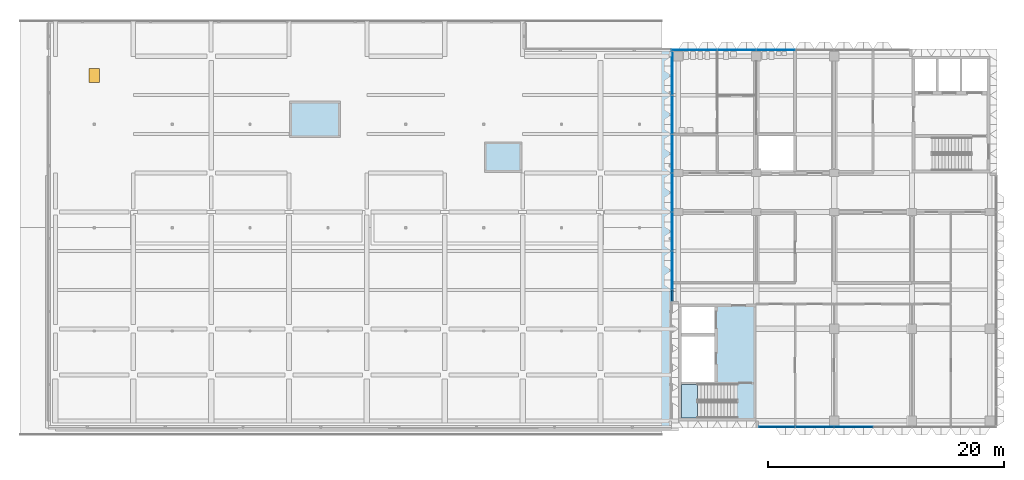
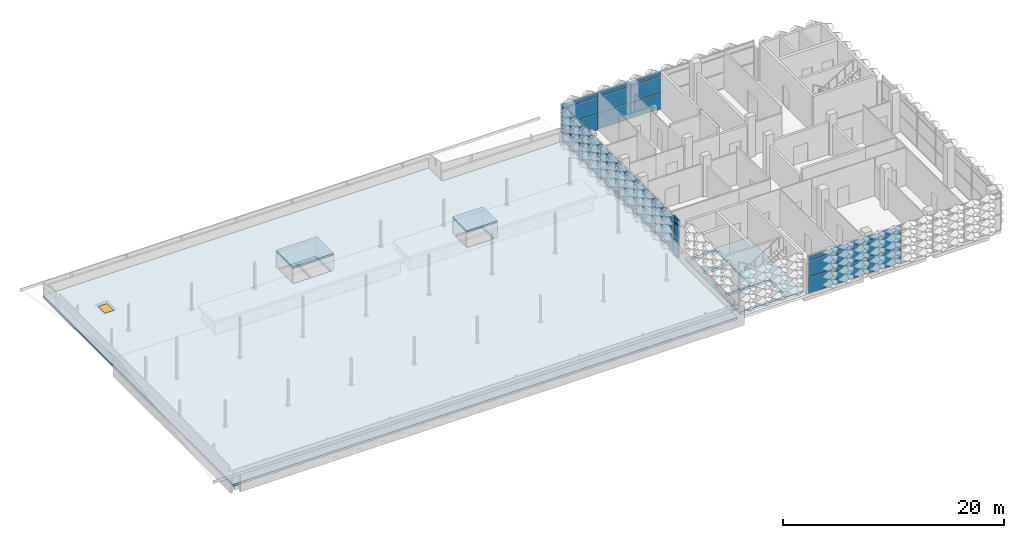
# One storey, part 9 of 39: 39 plates, 5 slabs, 4 members, 1 window, 1 opening, 4 elements without a shape of their own.
"""IFC4 building model written with IfcOpenShell, lengths in metres."""

from ifc_helpers import new_model, si_unit, direction, frame, origin, origin_2d, place, context, subcontext, project, spatial, polyline, rectangle, outline, extrude, material, layer, layer_set, material_profile, profile_set, type_object, element, fill, aggregate, save


model = new_model("IFC4")

# Units and contexts
model_context = context("Model", 3, precision=1e-05, world=origin(), true_north=direction((0.0, 1.0)))
body_context = subcontext(model_context, "Body", "Model", "MODEL_VIEW")
ifc_project = project(units=[si_unit("LENGTHUNIT", "METRE"), si_unit("AREAUNIT", "SQUARE_METRE"), si_unit("VOLUMEUNIT", "CUBIC_METRE"), si_unit("PLANEANGLEUNIT", "RADIAN"), si_unit("MASSUNIT", "GRAM", prefix="KILO")], contexts=[model_context])

# Site, building, storey
site_placement = place(None, origin())
site = spatial("IfcSite", under=ifc_project, at=site_placement, CompositionType="ELEMENT")
building_placement = place(site_placement, origin())
building = spatial("IfcBuilding", under=site, at=building_placement, Name="Lantern Court Research Institute", CompositionType="ELEMENT")
storey_placement = place(building_placement, frame((0.0, 0.0, 27.89990234375)))
storey = spatial("IfcBuildingStorey", under=building, at=storey_placement, Name="L06", CompositionType="ELEMENT", Elevation=27.89990234375)

# Curtain wall, members
ifc_material_1 = material(Name="Aluminium alloy 6063-T6", Category="aluminium")
curtain_wall_type_1 = type_object("IfcCurtainWallType", Name="Curtain wall 21250 x 4200 x 150 aluminium frame", PredefinedType="NOTDEFINED", material=ifc_material_1)
curtain_wall_1_placement = place(storey_placement, origin())
curtain_wall_1 = element("IfcCurtainWall", 1, at=curtain_wall_1_placement, inside=storey, type_object=curtain_wall_type_1, Name="Curtain wall CW080", PredefinedType="NOTDEFINED")
ifc_material_2 = material(Name="Aluminium alloy 6063-T6", Category="aluminium")
ifc_material_profile = material_profile(ifc_material_2, rectangle(XDim=0.14990234375, YDim=0.06005859375, at=origin_2d()), Name="Transom 150 x 60")
ifc_profile_set = profile_set([ifc_material_profile], Name="Aluminium alloy 6063-T6")
member_type = type_object("IfcMemberType", Name="Transom 150 x 60 aluminium", PredefinedType="USERDEFINED", material=ifc_profile_set)
member_1_placement = place(storey_placement, frame((52.27490234375, 2.360107421875, 0.030029296875), z_axis=(0.0, 1.0, 0.0), x_axis=(-1.0, 0.0, 0.0)))
member_1 = element("IfcMember", 2, at=member_1_placement, type_object=member_type, Name="CW080 transom 1.1", ObjectType="TRANSOM", PredefinedType="USERDEFINED", context=body_context, shape_type="SweptSolid", body=[
    extrude(rectangle(XDim=0.14990234375, YDim=0.06005859375, at=origin_2d()), origin(), (0.0, 0.0, 1.0), 0.909912109375),
])
member_2_placement = place(storey_placement, frame((52.27490234375, 2.360107421875, 1.800048828125), z_axis=(0.0, 1.0, 0.0), x_axis=(-1.0, 0.0, 0.0)))
member_2 = element("IfcMember", 3, at=member_2_placement, type_object=member_type, Name="CW080 transom 1.2", ObjectType="TRANSOM", PredefinedType="USERDEFINED", context=body_context, shape_type="SweptSolid", body=[
    extrude(rectangle(XDim=0.14990234375, YDim=0.06005859375, at=origin_2d()), origin(), (0.0, 0.0, 1.0), 0.909912109375),
])
member_3_placement = place(storey_placement, frame((52.27490234375, 2.360107421875, 3.60009765625), z_axis=(0.0, 1.0, 0.0), x_axis=(-1.0, 0.0, 0.0)))
member_3 = element("IfcMember", 4, at=member_3_placement, type_object=member_type, Name="CW080 transom 1.3", ObjectType="TRANSOM", PredefinedType="USERDEFINED", context=body_context, shape_type="SweptSolid", body=[
    extrude(rectangle(XDim=0.14990234375, YDim=0.06005859375, at=origin_2d()), origin(), (0.0, 0.0, 1.0), 0.909912109375),
])
member_4_placement = place(storey_placement, frame((52.27490234375, 2.360107421875, 4.170166015625), z_axis=(0.0, 1.0, 0.0), x_axis=(-1.0, 0.0, 0.0)))
member_4 = element("IfcMember", 5, at=member_4_placement, type_object=member_type, Name="CW080 transom 1.4", ObjectType="TRANSOM", PredefinedType="USERDEFINED", context=body_context, shape_type="SweptSolid", body=[
    extrude(rectangle(XDim=0.14990234375, YDim=0.06005859375, at=origin_2d()), origin(), (0.0, 0.0, 1.0), 0.909912109375),
])

# Curtain wall, plates
ifc_material_3 = material(Name="Aluminium alloy 6063-T6", Category="aluminium")
curtain_wall_type_2 = type_object("IfcCurtainWallType", Name="Curtain wall 20200 x 4200 x 150 aluminium frame", PredefinedType="NOTDEFINED", material=ifc_material_3)
curtain_wall_2_placement = place(storey_placement, origin())
curtain_wall_2 = element("IfcCurtainWall", 6, at=curtain_wall_2_placement, inside=storey, type_object=curtain_wall_type_2, Name="Curtain wall CW079", PredefinedType="NOTDEFINED")
ifc_material_4 = material(Name="Insulated aluminium spandrel panel", Category="aluminium")
ifc_layer_1 = layer(ifc_material_4, 0.10009765625)
ifc_layer_set_1 = layer_set([ifc_layer_1], Name="Insulated aluminium spandrel panel")
plate_type_1 = type_object("IfcPlateType", Name="Insulated spandrel panel 100 mm for south sun", PredefinedType="CURTAIN_PANEL", material=ifc_layer_set_1)
plate_1_placement = place(storey_placement, frame((61.1650390625, -8.324951171875, 0.06005859375), z_axis=(0.0, 0.0, 1.0), x_axis=(-1.0, 0.0, 0.0)))
plate_1 = element("IfcPlate", 7, at=plate_1_placement, type_object=plate_type_1, Name="CW079 spandrel panel 1.1", PredefinedType="CURTAIN_PANEL", context=body_context, shape_type="SweptSolid", body=[
    extrude(rectangle(XDim=3.010009765625, YDim=0.10009765625, at=origin_2d()), origin(), (0.0, 0.0, 1.0), 1.7099609375),
])
plate_2_placement = place(storey_placement, frame((64.35009765625, -8.324951171875, 0.06005859375), z_axis=(0.0, 0.0, 1.0), x_axis=(-1.0, 0.0, 0.0)))
plate_2 = element("IfcPlate", 8, at=plate_2_placement, type_object=plate_type_1, Name="CW079 spandrel panel 2.1", PredefinedType="CURTAIN_PANEL", context=body_context, shape_type="SweptSolid", body=[
    extrude(rectangle(XDim=3.239990234375, YDim=0.10009765625, at=origin_2d()), origin(), (0.0, 0.0, 1.0), 1.7099609375),
])
plate_3_placement = place(storey_placement, frame((67.64990234375, -8.324951171875, 0.06005859375), z_axis=(0.0, 0.0, 1.0), x_axis=(-1.0, 0.0, 0.0)))
plate_3 = element("IfcPlate", 9, at=plate_3_placement, type_object=plate_type_1, Name="CW079 spandrel panel 3.1", PredefinedType="CURTAIN_PANEL", context=body_context, shape_type="SweptSolid", body=[
    extrude(rectangle(XDim=3.239990234375, YDim=0.10009765625, at=origin_2d()), origin(), (0.0, 0.0, 1.0), 1.7099609375),
])

curtain_wall_3_placement = place(storey_placement, origin())
curtain_wall_3 = element("IfcCurtainWall", 10, at=curtain_wall_3_placement, inside=storey, type_object=curtain_wall_type_2, Name="Curtain wall CW078", PredefinedType="NOTDEFINED")
ifc_material_5 = material(Name="Insulated aluminium spandrel panel", Category="aluminium")
ifc_layer_2 = layer(ifc_material_5, 0.06005859375)
ifc_layer_set_2 = layer_set([ifc_layer_2], Name="Insulated aluminium spandrel panel")
plate_type_2 = type_object("IfcPlateType", Name="Insulated spandrel panel 60 mm", PredefinedType="CURTAIN_PANEL", material=ifc_layer_set_2)
plate_4_placement = place(storey_placement, frame((54.1650390625, 23.625, 0.06005859375), z_axis=(0.0, 0.0, 1.0), x_axis=(1.0, 0.0, 0.0)))
plate_4 = element("IfcPlate", 11, at=plate_4_placement, type_object=plate_type_2, Name="CW078 spandrel panel 1.1", PredefinedType="CURTAIN_PANEL", context=body_context, shape_type="SweptSolid", body=[
    extrude(rectangle(XDim=3.81005859375, YDim=0.06005859375, at=origin_2d()), origin(), (0.0, 0.0, 1.0), 1.7099609375),
])
plate_5_placement = place(storey_placement, frame((57.75, 23.625, 0.06005859375), z_axis=(0.0, 0.0, 1.0), x_axis=(1.0, 0.0, 0.0)))
plate_5 = element("IfcPlate", 12, at=plate_5_placement, type_object=plate_type_2, Name="CW078 spandrel panel 2.1", PredefinedType="CURTAIN_PANEL", context=body_context, shape_type="SweptSolid", body=[
    extrude(rectangle(XDim=3.239990234375, YDim=0.06005859375, at=origin_2d()), origin(), (0.0, 0.0, 1.0), 1.7099609375),
])
plate_6_placement = place(storey_placement, frame((61.050048828125, 23.625, 0.06005859375), z_axis=(0.0, 0.0, 1.0), x_axis=(1.0, 0.0, 0.0)))
plate_6 = element("IfcPlate", 13, at=plate_6_placement, type_object=plate_type_2, Name="CW078 spandrel panel 3.1", PredefinedType="CURTAIN_PANEL", context=body_context, shape_type="SweptSolid", body=[
    extrude(rectangle(XDim=3.239990234375, YDim=0.06005859375, at=origin_2d()), origin(), (0.0, 0.0, 1.0), 1.7099609375),
])

# Plate
ifc_material_6 = material(Name="Insulated aluminium spandrel panel", Category="aluminium")
ifc_layer_3 = layer(ifc_material_6, 0.080078125)
ifc_layer_set_3 = layer_set([ifc_layer_3], Name="Insulated aluminium spandrel panel")
plate_type_3 = type_object("IfcPlateType", Name="Insulated spandrel panel 80 mm", PredefinedType="CURTAIN_PANEL", material=ifc_layer_set_3)
plate_7_placement = place(storey_placement, frame((52.27490234375, 2.81494140625, 0.06005859375), z_axis=(0.0, 0.0, 1.0), x_axis=(0.0, 1.0, 0.0)))
plate_7 = element("IfcPlate", 14, at=plate_7_placement, type_object=plate_type_3, Name="CW080 spandrel panel 1.1", PredefinedType="CURTAIN_PANEL", context=body_context, shape_type="SweptSolid", body=[
    extrude(rectangle(XDim=0.909912109375, YDim=0.080078125, at=origin_2d()), origin(), (0.0, 0.0, 1.0), 1.7099609375),
])

plate_8_placement = place(storey_placement, frame((52.27490234375, 4.949951171875, 0.06005859375), z_axis=(0.0, 0.0, 1.0), x_axis=(0.0, 1.0, 0.0)))
plate_8 = element("IfcPlate", 15, at=plate_8_placement, type_object=plate_type_3, Name="CW080 spandrel panel 2.1", PredefinedType="CURTAIN_PANEL", context=body_context, shape_type="SweptSolid", body=[
    extrude(rectangle(XDim=3.239990234375, YDim=0.080078125, at=origin_2d()), origin(), (0.0, 0.0, 1.0), 1.7099609375),
])

plate_9_placement = place(storey_placement, frame((52.27490234375, 8.25, 0.06005859375), z_axis=(0.0, 0.0, 1.0), x_axis=(0.0, 1.0, 0.0)))
plate_9 = element("IfcPlate", 16, at=plate_9_placement, type_object=plate_type_3, Name="CW080 spandrel panel 3.1", PredefinedType="CURTAIN_PANEL", context=body_context, shape_type="SweptSolid", body=[
    extrude(rectangle(XDim=3.239990234375, YDim=0.080078125, at=origin_2d()), origin(), (0.0, 0.0, 1.0), 1.7099609375),
])

plate_10_placement = place(storey_placement, frame((52.27490234375, 11.550048828125, 0.06005859375), z_axis=(0.0, 0.0, 1.0), x_axis=(0.0, 1.0, 0.0)))
plate_10 = element("IfcPlate", 17, at=plate_10_placement, type_object=plate_type_3, Name="CW080 spandrel panel 4.1", PredefinedType="CURTAIN_PANEL", context=body_context, shape_type="SweptSolid", body=[
    extrude(rectangle(XDim=3.239990234375, YDim=0.080078125, at=origin_2d()), origin(), (0.0, 0.0, 1.0), 1.7099609375),
])

plate_11_placement = place(storey_placement, frame((52.27490234375, 14.85009765625, 0.06005859375), z_axis=(0.0, 0.0, 1.0), x_axis=(0.0, 1.0, 0.0)))
plate_11 = element("IfcPlate", 18, at=plate_11_placement, type_object=plate_type_3, Name="CW080 spandrel panel 5.1", PredefinedType="CURTAIN_PANEL", context=body_context, shape_type="SweptSolid", body=[
    extrude(rectangle(XDim=3.239990234375, YDim=0.080078125, at=origin_2d()), origin(), (0.0, 0.0, 1.0), 1.7099609375),
])

plate_12_placement = place(storey_placement, frame((52.27490234375, 18.14990234375, 0.06005859375), z_axis=(0.0, 0.0, 1.0), x_axis=(0.0, 1.0, 0.0)))
plate_12 = element("IfcPlate", 19, at=plate_12_placement, type_object=plate_type_3, Name="CW080 spandrel panel 6.1", PredefinedType="CURTAIN_PANEL", context=body_context, shape_type="SweptSolid", body=[
    extrude(rectangle(XDim=3.239990234375, YDim=0.080078125, at=origin_2d()), origin(), (0.0, 0.0, 1.0), 1.7099609375),
])

plate_13_placement = place(storey_placement, frame((52.27490234375, 21.659912109375, 0.06005859375), z_axis=(0.0, 0.0, 1.0), x_axis=(0.0, 1.0, 0.0)))
plate_13 = element("IfcPlate", 20, at=plate_13_placement, type_object=plate_type_3, Name="CW080 spandrel panel 7.1", PredefinedType="CURTAIN_PANEL", context=body_context, shape_type="SweptSolid", body=[
    extrude(rectangle(XDim=3.659912109375, YDim=0.080078125, at=origin_2d()), origin(), (0.0, 0.0, 1.0), 1.7099609375),
])

ifc_material_7 = material(Name="Laminated low-emissivity glass", Category="glass")
ifc_layer_4 = layer(ifc_material_7, 0.031982421875)
ifc_layer_set_4 = layer_set([ifc_layer_4], Name="Laminated low-emissivity glass")
plate_type_4 = type_object("IfcPlateType", Name="Laminated low-emissivity unit 32 mm", PredefinedType="CURTAIN_PANEL", material=ifc_layer_set_4)
plate_14_placement = place(storey_placement, frame((52.27490234375, 2.81494140625, 1.830078125), z_axis=(0.0, 0.0, 1.0), x_axis=(0.0, 1.0, 0.0)))
plate_14 = element("IfcPlate", 21, at=plate_14_placement, type_object=plate_type_4, Name="CW080 glazed panel 1.2", PredefinedType="CURTAIN_PANEL", context=body_context, shape_type="SweptSolid", body=[
    extrude(rectangle(XDim=0.909912109375, YDim=0.031982421875, at=origin_2d()), origin(), (0.0, 0.0, 1.0), 1.739990234375),
])

plate_15_placement = place(storey_placement, frame((52.27490234375, 2.81494140625, 3.6298828125), z_axis=(0.0, 0.0, 1.0), x_axis=(0.0, 1.0, 0.0)))
plate_15 = element("IfcPlate", 22, at=plate_15_placement, type_object=plate_type_4, Name="CW080 glazed panel 1.3", PredefinedType="CURTAIN_PANEL", context=body_context, shape_type="SweptSolid", body=[
    extrude(rectangle(XDim=0.909912109375, YDim=0.031982421875, at=origin_2d()), origin(), (0.0, 0.0, 1.0), 0.510009765625),
])

plate_16_placement = place(storey_placement, frame((52.27490234375, 4.949951171875, 1.830078125), z_axis=(0.0, 0.0, 1.0), x_axis=(0.0, 1.0, 0.0)))
plate_16 = element("IfcPlate", 23, at=plate_16_placement, type_object=plate_type_4, Name="CW080 glazed panel 2.2", PredefinedType="CURTAIN_PANEL", context=body_context, shape_type="SweptSolid", body=[
    extrude(rectangle(XDim=3.239990234375, YDim=0.031982421875, at=origin_2d()), origin(), (0.0, 0.0, 1.0), 1.739990234375),
])

plate_17_placement = place(storey_placement, frame((52.27490234375, 4.949951171875, 3.6298828125), z_axis=(0.0, 0.0, 1.0), x_axis=(0.0, 1.0, 0.0)))
plate_17 = element("IfcPlate", 24, at=plate_17_placement, type_object=plate_type_4, Name="CW080 glazed panel 2.3", PredefinedType="CURTAIN_PANEL", context=body_context, shape_type="SweptSolid", body=[
    extrude(rectangle(XDim=3.239990234375, YDim=0.031982421875, at=origin_2d()), origin(), (0.0, 0.0, 1.0), 0.510009765625),
])

plate_18_placement = place(storey_placement, frame((52.27490234375, 8.25, 1.830078125), z_axis=(0.0, 0.0, 1.0), x_axis=(0.0, 1.0, 0.0)))
plate_18 = element("IfcPlate", 25, at=plate_18_placement, type_object=plate_type_4, Name="CW080 glazed panel 3.2", PredefinedType="CURTAIN_PANEL", context=body_context, shape_type="SweptSolid", body=[
    extrude(rectangle(XDim=3.239990234375, YDim=0.031982421875, at=origin_2d()), origin(), (0.0, 0.0, 1.0), 1.739990234375),
])

plate_19_placement = place(storey_placement, frame((52.27490234375, 8.25, 3.6298828125), z_axis=(0.0, 0.0, 1.0), x_axis=(0.0, 1.0, 0.0)))
plate_19 = element("IfcPlate", 26, at=plate_19_placement, type_object=plate_type_4, Name="CW080 glazed panel 3.3", PredefinedType="CURTAIN_PANEL", context=body_context, shape_type="SweptSolid", body=[
    extrude(rectangle(XDim=3.239990234375, YDim=0.031982421875, at=origin_2d()), origin(), (0.0, 0.0, 1.0), 0.510009765625),
])

plate_20_placement = place(storey_placement, frame((52.27490234375, 11.550048828125, 1.830078125), z_axis=(0.0, 0.0, 1.0), x_axis=(0.0, 1.0, 0.0)))
plate_20 = element("IfcPlate", 27, at=plate_20_placement, type_object=plate_type_4, Name="CW080 glazed panel 4.2", PredefinedType="CURTAIN_PANEL", context=body_context, shape_type="SweptSolid", body=[
    extrude(rectangle(XDim=3.239990234375, YDim=0.031982421875, at=origin_2d()), origin(), (0.0, 0.0, 1.0), 1.739990234375),
])

plate_21_placement = place(storey_placement, frame((52.27490234375, 11.550048828125, 3.6298828125), z_axis=(0.0, 0.0, 1.0), x_axis=(0.0, 1.0, 0.0)))
plate_21 = element("IfcPlate", 28, at=plate_21_placement, type_object=plate_type_4, Name="CW080 glazed panel 4.3", PredefinedType="CURTAIN_PANEL", context=body_context, shape_type="SweptSolid", body=[
    extrude(rectangle(XDim=3.239990234375, YDim=0.031982421875, at=origin_2d()), origin(), (0.0, 0.0, 1.0), 0.510009765625),
])

plate_22_placement = place(storey_placement, frame((52.27490234375, 14.85009765625, 1.830078125), z_axis=(0.0, 0.0, 1.0), x_axis=(0.0, 1.0, 0.0)))
plate_22 = element("IfcPlate", 29, at=plate_22_placement, type_object=plate_type_4, Name="CW080 glazed panel 5.2", PredefinedType="CURTAIN_PANEL", context=body_context, shape_type="SweptSolid", body=[
    extrude(rectangle(XDim=3.239990234375, YDim=0.031982421875, at=origin_2d()), origin(), (0.0, 0.0, 1.0), 1.739990234375),
])

plate_23_placement = place(storey_placement, frame((52.27490234375, 14.85009765625, 3.6298828125), z_axis=(0.0, 0.0, 1.0), x_axis=(0.0, 1.0, 0.0)))
plate_23 = element("IfcPlate", 30, at=plate_23_placement, type_object=plate_type_4, Name="CW080 glazed panel 5.3", PredefinedType="CURTAIN_PANEL", context=body_context, shape_type="SweptSolid", body=[
    extrude(rectangle(XDim=3.239990234375, YDim=0.031982421875, at=origin_2d()), origin(), (0.0, 0.0, 1.0), 0.510009765625),
])

plate_24_placement = place(storey_placement, frame((52.27490234375, 18.14990234375, 1.830078125), z_axis=(0.0, 0.0, 1.0), x_axis=(0.0, 1.0, 0.0)))
plate_24 = element("IfcPlate", 31, at=plate_24_placement, type_object=plate_type_4, Name="CW080 glazed panel 6.2", PredefinedType="CURTAIN_PANEL", context=body_context, shape_type="SweptSolid", body=[
    extrude(rectangle(XDim=3.239990234375, YDim=0.031982421875, at=origin_2d()), origin(), (0.0, 0.0, 1.0), 1.739990234375),
])

plate_25_placement = place(storey_placement, frame((52.27490234375, 18.14990234375, 3.6298828125), z_axis=(0.0, 0.0, 1.0), x_axis=(0.0, 1.0, 0.0)))
plate_25 = element("IfcPlate", 32, at=plate_25_placement, type_object=plate_type_4, Name="CW080 glazed panel 6.3", PredefinedType="CURTAIN_PANEL", context=body_context, shape_type="SweptSolid", body=[
    extrude(rectangle(XDim=3.239990234375, YDim=0.031982421875, at=origin_2d()), origin(), (0.0, 0.0, 1.0), 0.510009765625),
])

plate_26_placement = place(storey_placement, frame((52.27490234375, 21.659912109375, 1.830078125), z_axis=(0.0, 0.0, 1.0), x_axis=(0.0, 1.0, 0.0)))
plate_26 = element("IfcPlate", 33, at=plate_26_placement, type_object=plate_type_4, Name="CW080 glazed panel 7.2", PredefinedType="CURTAIN_PANEL", context=body_context, shape_type="SweptSolid", body=[
    extrude(rectangle(XDim=3.659912109375, YDim=0.031982421875, at=origin_2d()), origin(), (0.0, 0.0, 1.0), 1.739990234375),
])

plate_27_placement = place(storey_placement, frame((52.27490234375, 21.659912109375, 3.6298828125), z_axis=(0.0, 0.0, 1.0), x_axis=(0.0, 1.0, 0.0)))
plate_27 = element("IfcPlate", 34, at=plate_27_placement, type_object=plate_type_4, Name="CW080 glazed panel 7.3", PredefinedType="CURTAIN_PANEL", context=body_context, shape_type="SweptSolid", body=[
    extrude(rectangle(XDim=3.659912109375, YDim=0.031982421875, at=origin_2d()), origin(), (0.0, 0.0, 1.0), 0.510009765625),
])

aggregate(curtain_wall_1, [member_1, member_2, member_3, member_4, plate_7, plate_14, plate_15, plate_8, plate_16, plate_17, plate_9, plate_18, plate_19, plate_10, plate_20, plate_21, plate_11, plate_22, plate_23, plate_12, plate_24, plate_25, plate_13, plate_26, plate_27])

ifc_material_8 = material(Name="Laminated low-emissivity glass", Category="glass")
ifc_layer_5 = layer(ifc_material_8, 0.02392578125)
ifc_layer_set_5 = layer_set([ifc_layer_5], Name="Laminated low-emissivity glass")
plate_type_5 = type_object("IfcPlateType", Name="Lightweight laminated unit 24 mm", PredefinedType="CURTAIN_PANEL", material=ifc_layer_set_5)
plate_28_placement = place(storey_placement, frame((54.1650390625, 23.625, 1.830078125), z_axis=(0.0, 0.0, 1.0), x_axis=(1.0, 0.0, 0.0)))
plate_28 = element("IfcPlate", 35, at=plate_28_placement, type_object=plate_type_5, Name="CW078 glazed panel 1.2", PredefinedType="CURTAIN_PANEL", context=body_context, shape_type="SweptSolid", body=[
    extrude(rectangle(XDim=3.81005859375, YDim=0.02392578125, at=origin_2d()), origin(), (0.0, 0.0, 1.0), 1.739990234375),
])

plate_29_placement = place(storey_placement, frame((54.1650390625, 23.625, 3.6298828125), z_axis=(0.0, 0.0, 1.0), x_axis=(1.0, 0.0, 0.0)))
plate_29 = element("IfcPlate", 36, at=plate_29_placement, type_object=plate_type_5, Name="CW078 glazed panel 1.3", PredefinedType="CURTAIN_PANEL", context=body_context, shape_type="SweptSolid", body=[
    extrude(rectangle(XDim=3.81005859375, YDim=0.02392578125, at=origin_2d()), origin(), (0.0, 0.0, 1.0), 0.510009765625),
])

plate_30_placement = place(storey_placement, frame((57.75, 23.625, 1.830078125), z_axis=(0.0, 0.0, 1.0), x_axis=(1.0, 0.0, 0.0)))
plate_30 = element("IfcPlate", 37, at=plate_30_placement, type_object=plate_type_5, Name="CW078 glazed panel 2.2", PredefinedType="CURTAIN_PANEL", context=body_context, shape_type="SweptSolid", body=[
    extrude(rectangle(XDim=3.239990234375, YDim=0.02392578125, at=origin_2d()), origin(), (0.0, 0.0, 1.0), 1.739990234375),
])

plate_31_placement = place(storey_placement, frame((57.75, 23.625, 3.6298828125), z_axis=(0.0, 0.0, 1.0), x_axis=(1.0, 0.0, 0.0)))
plate_31 = element("IfcPlate", 38, at=plate_31_placement, type_object=plate_type_5, Name="CW078 glazed panel 2.3", PredefinedType="CURTAIN_PANEL", context=body_context, shape_type="SweptSolid", body=[
    extrude(rectangle(XDim=3.239990234375, YDim=0.02392578125, at=origin_2d()), origin(), (0.0, 0.0, 1.0), 0.510009765625),
])

plate_32_placement = place(storey_placement, frame((61.050048828125, 23.625, 1.830078125), z_axis=(0.0, 0.0, 1.0), x_axis=(1.0, 0.0, 0.0)))
plate_32 = element("IfcPlate", 39, at=plate_32_placement, type_object=plate_type_5, Name="CW078 glazed panel 3.2", PredefinedType="CURTAIN_PANEL", context=body_context, shape_type="SweptSolid", body=[
    extrude(rectangle(XDim=3.239990234375, YDim=0.02392578125, at=origin_2d()), origin(), (0.0, 0.0, 1.0), 1.739990234375),
])

plate_33_placement = place(storey_placement, frame((61.050048828125, 23.625, 3.6298828125), z_axis=(0.0, 0.0, 1.0), x_axis=(1.0, 0.0, 0.0)))
plate_33 = element("IfcPlate", 40, at=plate_33_placement, type_object=plate_type_5, Name="CW078 glazed panel 3.3", PredefinedType="CURTAIN_PANEL", context=body_context, shape_type="SweptSolid", body=[
    extrude(rectangle(XDim=3.239990234375, YDim=0.02392578125, at=origin_2d()), origin(), (0.0, 0.0, 1.0), 0.510009765625),
])

aggregate(curtain_wall_3, [plate_4, plate_28, plate_29, plate_5, plate_30, plate_31, plate_6, plate_32, plate_33])

# Slabs
ifc_material_9 = material(Name="Concrete C35/45", Category="concrete")
ifc_layer_6 = layer(ifc_material_9, 0.300048828125)
ifc_layer_set_6 = layer_set([ifc_layer_6], Name="Concrete C35/45")
slab_type_1 = type_object("IfcSlabType", Name="RC core floor slab 300", PredefinedType="FLOOR", material=ifc_layer_set_6)
slab_1_placement = place(storey_placement, frame((0.0, 0.0, -0.2998046875)))
element("IfcSlab", 41, at=slab_1_placement, inside=storey, type_object=slab_type_1, Name="Floor of core TC-W", PredefinedType="FLOOR", context=body_context, shape_type="SweptSolid", body=[
    extrude(outline(polyline([(52.800048828125, -7.800048828125), (59.39990234375, -7.800048828125), (59.39990234375, 2.10009765625), (52.800048828125, 2.10009765625), (52.800048828125, -7.800048828125)]), holes=[polyline([(57.75, -4.699951171875), (53.050048828125, -4.699951171875), (53.050048828125, -7.550048828125), (57.75, -7.550048828125), (57.75, -4.699951171875)]), polyline([(53.050048828125, -0.35009765625), (55.85009765625, -0.35009765625), (55.85009765625, 1.85009765625), (53.050048828125, 1.85009765625), (53.050048828125, -0.35009765625)]), polyline([(53.050048828125, -0.64990234375), (55.85009765625, -0.64990234375), (55.85009765625, -4.5), (53.050048828125, -4.5), (53.050048828125, -0.64990234375)])]), origin(), (0.0, 0.0, 1.0), 0.2998046875),
])
ifc_material_10 = material(Name="Concrete C35/45", Category="concrete")
ifc_layer_7 = layer(ifc_material_10, 0.199951171875)
ifc_layer_set_7 = layer_set([ifc_layer_7], Name="Concrete C35/45")
slab_type_2 = type_object("IfcSlabType", Name="RC lift overrun roof 200", PredefinedType="ROOF", material=ifc_layer_set_7)
slab_2_placement = place(storey_placement, frame((0.0, 0.0, 1.800048828125)))
element("IfcSlab", 42, at=slab_2_placement, inside=storey, type_object=slab_type_2, Name="Lift overrun roof of core BC-M", PredefinedType="ROOF", context=body_context, shape_type="SweptSolid", body=[
    extrude(outline(polyline([(19.85009765625, 16.199951171875), (24.14990234375, 16.199951171875), (24.14990234375, 19.300048828125), (19.85009765625, 19.300048828125), (19.85009765625, 16.199951171875)])), origin(), (0.0, 0.0, 1.0), 0.199951171875),
])
slab_3_placement = place(storey_placement, frame((0.0, 0.0, 1.800048828125)))
element("IfcSlab", 43, at=slab_3_placement, inside=storey, type_object=slab_type_2, Name="Lift overrun roof of core BC-E", PredefinedType="ROOF", context=body_context, shape_type="SweptSolid", body=[
    extrude(outline(polyline([(36.35009765625, 13.25), (39.550048828125, 13.25), (39.550048828125, 15.85009765625), (36.35009765625, 15.85009765625), (36.35009765625, 13.25)])), origin(), (0.0, 0.0, 1.0), 0.199951171875),
])

# Slab, opening, window
ifc_material_11 = material(Name="Concrete C35/45", Category="concrete")
ifc_layer_8 = layer(ifc_material_11, 0.25)
ifc_layer_set_8 = layer_set([ifc_layer_8], Name="Concrete C35/45")
slab_type_3 = type_object("IfcSlabType", Name="RC roof slab 250", PredefinedType="ROOF", material=ifc_layer_set_8)
slab_4_placement = place(storey_placement, frame((0.0, 0.0, -0.25)))
slab_4 = element("IfcSlab", 44, at=slab_4_placement, inside=storey, type_object=slab_type_3, Name="Roof slab L06 Wet Laboratory Wing", PredefinedType="ROOF", context=body_context, shape_type="SweptSolid", body=[
    extrude(outline(polyline([(-0.60009765625, 23.10009765625), (-0.60009765625, -7.800048828125), (-0.60009765625, -8.39990234375), (52.199951171875, -8.39990234375), (52.199951171875, -7.800048828125), (52.199951171875, 23.10009765625), (52.199951171875, 23.699951171875), (39.85009765625, 23.699951171875), (39.85009765625, 26.10009765625), (-0.60009765625, 26.10009765625), (-0.60009765625, 23.699951171875), (-0.60009765625, 23.10009765625)]), holes=[polyline([(20.050048828125, 16.39990234375), (21.85009765625, 16.39990234375), (21.85009765625, 19.10009765625), (20.050048828125, 19.10009765625), (20.050048828125, 16.39990234375)]), polyline([(22.050048828125, 16.39990234375), (23.949951171875, 16.39990234375), (23.949951171875, 19.10009765625), (22.050048828125, 19.10009765625), (22.050048828125, 16.39990234375)]), polyline([(36.550048828125, 13.449951171875), (39.35009765625, 13.449951171875), (39.35009765625, 15.64990234375), (36.550048828125, 15.64990234375), (36.550048828125, 13.449951171875)]), polyline([(3.75, 20.875), (3.75, 22.074951171875), (2.85009765625, 22.074951171875), (2.85009765625, 20.875), (3.75, 20.875)])]), origin(), (0.0, 0.0, 1.0), 0.25),
])
opening_placement = place(slab_4_placement, frame((3.300048828125, 21.47509765625, 0.0)))
opening = element("IfcOpeningElement", 45, at=opening_placement, cuts=slab_4, Name="Opening RH01", PredefinedType="OPENING", context=body_context, shape_type="SweptSolid", body=[
    extrude(rectangle(XDim=0.89990234375, YDim=1.199951171875, at=origin_2d()), origin(), (0.0, 0.0, 1.0), 0.25),
])
ifc_material_12 = material(Name="Aluminium frame with laminated low-emissivity glazing", Category="aluminium")
window_type = type_object("IfcWindowType", Name="Roof access hatch 900 x 1200", PartitioningType="SINGLE_PANEL", PredefinedType="SKYLIGHT", material=ifc_material_12)
window_placement = place(opening_placement, frame((0.0, 0.0, 0.199951171875)))
window = element("IfcWindow", 46, at=window_placement, inside=storey, type_object=window_type, Name="Roof access hatch RH01", OverallHeight=1.199951171875, OverallWidth=0.89990234375, PartitioningType="SINGLE_PANEL", PredefinedType="SKYLIGHT", context=body_context, shape_type="SweptSolid", body=[
    extrude(rectangle(XDim=0.89990234375, YDim=1.199951171875, at=origin_2d()), origin(), (0.0, 0.0, 1.0), 0.050048828125),
])
fill(opening, window)

# Stair, slab
ifc_material_13 = material(Name="Concrete C40/50", Category="concrete")
stair_type = type_object("IfcStairType", Name="RC half-turn stair 1350 wide, 4500 rise, 6100 shaft", PredefinedType="HALF_TURN_STAIR", material=ifc_material_13)
stair_placement = place(storey_placement, origin())
stair = element("IfcStair", 47, at=stair_placement, inside=storey, type_object=stair_type, Name="L06 stair ST-T1", PredefinedType="HALF_TURN_STAIR")
ifc_material_14 = material(Name="Concrete C40/50", Category="concrete")
ifc_layer_9 = layer(ifc_material_14, 0.199951171875)
ifc_layer_set_9 = layer_set([ifc_layer_9], Name="Concrete C40/50")
slab_type_4 = type_object("IfcSlabType", Name="RC stair landing 200", PredefinedType="LANDING", material=ifc_layer_set_9)
slab_5_placement = place(storey_placement, frame((0.0, 0.0, 2.050048828125)))
slab_5 = element("IfcSlab", 48, at=slab_5_placement, type_object=slab_type_4, Name="ST-T1 landing 1", PredefinedType="LANDING", context=body_context, shape_type="SweptSolid", body=[
    extrude(outline(polyline([(54.43994140625, -4.699951171875), (53.050048828125, -4.699951171875), (53.050048828125, -7.550048828125), (54.43994140625, -7.550048828125), (54.43994140625, -4.699951171875)])), origin(), (0.0, 0.0, 1.0), 0.199951171875),
])
aggregate(stair, [slab_5])

# Plate
ifc_material_15 = material(Name="Laminated low-emissivity glass", Category="glass")
ifc_layer_10 = layer(ifc_material_15, 0.035888671875)
ifc_layer_set_10 = layer_set([ifc_layer_10], Name="Laminated low-emissivity glass")
plate_type_6 = type_object("IfcPlateType", Name="Solar control laminated unit 36 mm", PredefinedType="CURTAIN_PANEL", material=ifc_layer_set_10)
plate_34_placement = place(storey_placement, frame((61.1650390625, -8.324951171875, 1.830078125), z_axis=(0.0, 0.0, 1.0), x_axis=(-1.0, 0.0, 0.0)))
plate_34 = element("IfcPlate", 49, at=plate_34_placement, type_object=plate_type_6, Name="CW079 glazed panel 1.2", PredefinedType="CURTAIN_PANEL", context=body_context, shape_type="SweptSolid", body=[
    extrude(rectangle(XDim=3.010009765625, YDim=0.035888671875, at=origin_2d()), origin(), (0.0, 0.0, 1.0), 1.739990234375),
])

plate_35_placement = place(storey_placement, frame((61.1650390625, -8.324951171875, 3.6298828125), z_axis=(0.0, 0.0, 1.0), x_axis=(-1.0, 0.0, 0.0)))
plate_35 = element("IfcPlate", 50, at=plate_35_placement, type_object=plate_type_6, Name="CW079 glazed panel 1.3", PredefinedType="CURTAIN_PANEL", context=body_context, shape_type="SweptSolid", body=[
    extrude(rectangle(XDim=3.010009765625, YDim=0.035888671875, at=origin_2d()), origin(), (0.0, 0.0, 1.0), 0.510009765625),
])

plate_36_placement = place(storey_placement, frame((64.35009765625, -8.324951171875, 1.830078125), z_axis=(0.0, 0.0, 1.0), x_axis=(-1.0, 0.0, 0.0)))
plate_36 = element("IfcPlate", 51, at=plate_36_placement, type_object=plate_type_6, Name="CW079 glazed panel 2.2", PredefinedType="CURTAIN_PANEL", context=body_context, shape_type="SweptSolid", body=[
    extrude(rectangle(XDim=3.239990234375, YDim=0.035888671875, at=origin_2d()), origin(), (0.0, 0.0, 1.0), 1.739990234375),
])

plate_37_placement = place(storey_placement, frame((64.35009765625, -8.324951171875, 3.6298828125), z_axis=(0.0, 0.0, 1.0), x_axis=(-1.0, 0.0, 0.0)))
plate_37 = element("IfcPlate", 52, at=plate_37_placement, type_object=plate_type_6, Name="CW079 glazed panel 2.3", PredefinedType="CURTAIN_PANEL", context=body_context, shape_type="SweptSolid", body=[
    extrude(rectangle(XDim=3.239990234375, YDim=0.035888671875, at=origin_2d()), origin(), (0.0, 0.0, 1.0), 0.510009765625),
])

plate_38_placement = place(storey_placement, frame((67.64990234375, -8.324951171875, 1.830078125), z_axis=(0.0, 0.0, 1.0), x_axis=(-1.0, 0.0, 0.0)))
plate_38 = element("IfcPlate", 53, at=plate_38_placement, type_object=plate_type_6, Name="CW079 glazed panel 3.2", PredefinedType="CURTAIN_PANEL", context=body_context, shape_type="SweptSolid", body=[
    extrude(rectangle(XDim=3.239990234375, YDim=0.035888671875, at=origin_2d()), origin(), (0.0, 0.0, 1.0), 1.739990234375),
])

plate_39_placement = place(storey_placement, frame((67.64990234375, -8.324951171875, 3.6298828125), z_axis=(0.0, 0.0, 1.0), x_axis=(-1.0, 0.0, 0.0)))
plate_39 = element("IfcPlate", 54, at=plate_39_placement, type_object=plate_type_6, Name="CW079 glazed panel 3.3", PredefinedType="CURTAIN_PANEL", context=body_context, shape_type="SweptSolid", body=[
    extrude(rectangle(XDim=3.239990234375, YDim=0.035888671875, at=origin_2d()), origin(), (0.0, 0.0, 1.0), 0.510009765625),
])

aggregate(curtain_wall_2, [plate_1, plate_34, plate_35, plate_2, plate_36, plate_37, plate_3, plate_38, plate_39])

save(model, "model.ifc")
